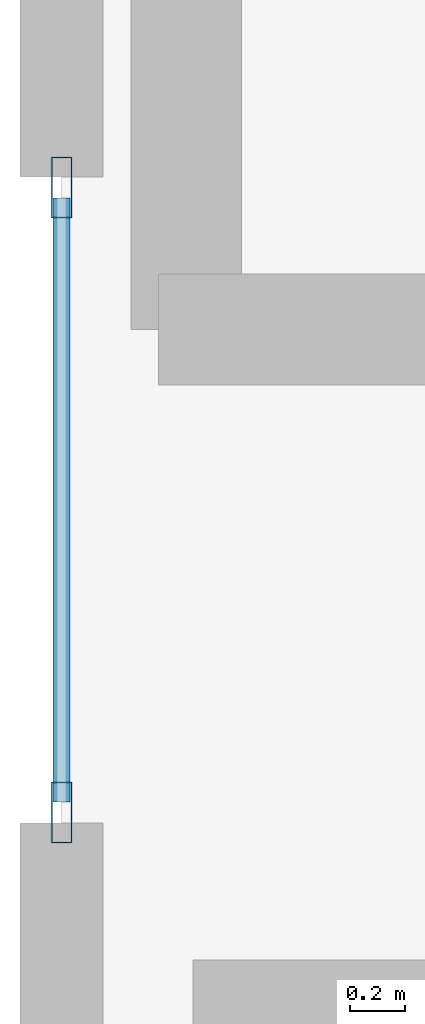
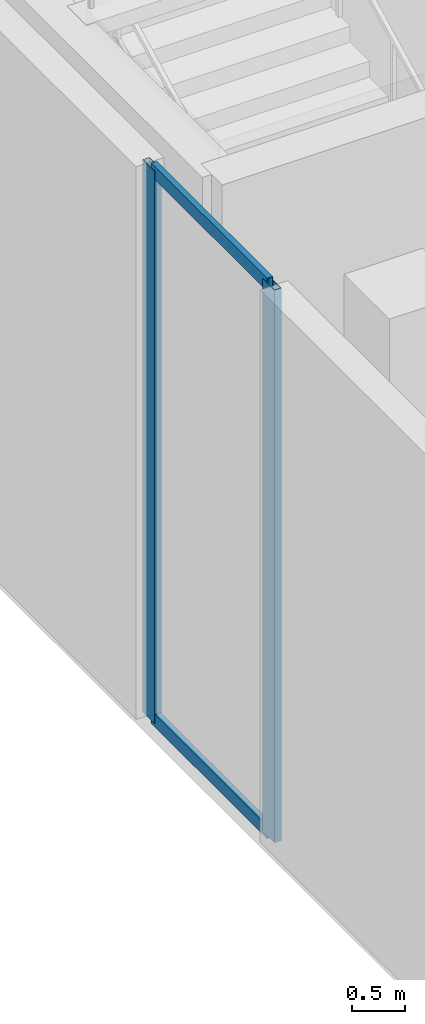
# One storey, part 3 of 30: 4 members, 1 element without a shape of its own.
"""IFC4 building model written with IfcOpenShell, lengths in metres."""

import ifcopenshell
import ifcopenshell.guid

model = None  # the IFC model being written
_history = None  # IfcOwnerHistory: only IFC2X3 demands one
_inside = {}  # id of a spatial element -> (the spatial element, [elements in it])
_under = {}  # id of a project, library or spatial element -> (it, [spatial elements below it])
_declared = {}  # id of a project -> (the project, [libraries it declares])
_typed = {}  # id of a type object -> (the type object, [elements of that type])
_made_of = {}  # id of a material, layer set ... -> (it, [elements and type objects made of it])


def new_model(schema):
    """Start an empty IFC model of exactly this schema.

    Asked for "IFC4X3", IfcOpenShell would pick the latest addendum, in which some entities
    have other attributes; the version numbers below select the first issue.
    IFC2X3 requires an IfcOwnerHistory on every rooted entity: one is made here for all.
    """
    global model, _history
    if schema == "IFC4X3":
        model = ifcopenshell.file(schema_version=(4, 3, 0, 0))
    else:
        model = ifcopenshell.file(schema=schema)
    _inside.clear()
    _under.clear()
    _declared.clear()
    _typed.clear()
    _made_of.clear()
    _history = None
    if model.schema == "IFC2X3":
        org = make("IfcOrganization", Name="unknown")
        user = make(
            "IfcPersonAndOrganization",
            ThePerson=make("IfcPerson", FamilyName="unknown"),
            TheOrganization=org,
        )
        app = make(
            "IfcApplication",
            ApplicationDeveloper=org,
            Version="unknown",
            ApplicationFullName="unknown",
            ApplicationIdentifier="unknown",
        )
        _history = make(
            "IfcOwnerHistory",
            OwningUser=user,
            OwningApplication=app,
            ChangeAction="ADDED",
            CreationDate=0,
        )
    return model


def make(cls, **values):
    """One entity of the class cls with the attributes given. An attribute that is None is left unset."""
    return model.create_entity(
        cls, **{name: value for name, value in values.items() if value is not None}
    )


def rooted(cls, **values):
    """An entity with a GlobalId (a new one), such as an element, a storey or a relation."""
    return make(cls, GlobalId=ifcopenshell.guid.new(), OwnerHistory=_history, **values)


def si_unit(unit_type, name, prefix=None):
    """IfcSIUnit, for example si_unit("LENGTHUNIT", "METRE", prefix="MILLI")."""
    return make("IfcSIUnit", UnitType=unit_type, Prefix=prefix, Name=name)


def assignment(units):
    """IfcUnitAssignment: the units of a project."""
    return None if units is None else make("IfcUnitAssignment", Units=units)


def point(xyz):
    """IfcCartesianPoint."""
    return None if xyz is None else make("IfcCartesianPoint", Coordinates=xyz)


def direction(xyz):
    """IfcDirection."""
    return None if xyz is None else make("IfcDirection", DirectionRatios=xyz)


def frame(location, z_axis=None, x_axis=None):
    """IfcAxis2Placement3D, a coordinate frame: its origin and axes. An axis left out is left unset."""
    return make(
        "IfcAxis2Placement3D",
        Location=point(location),
        Axis=direction(z_axis),
        RefDirection=direction(x_axis),
    )


def frame_2d(location, x_axis=None):
    """IfcAxis2Placement2D, a coordinate frame in the plane: its origin and x axis."""
    return make(
        "IfcAxis2Placement2D", Location=point(location), RefDirection=direction(x_axis)
    )


def origin():
    """The frame at (0, 0, 0) with its axes left unset."""
    return frame((0.0, 0.0, 0.0))


def origin_2d():
    """The frame at (0, 0) in the plane with its x axis left unset."""
    return frame_2d((0.0, 0.0))


def place(relative_to, where):
    """IfcLocalPlacement: puts the frame where relative to a parent placement (None: the world)."""
    return make(
        "IfcLocalPlacement", PlacementRelTo=relative_to, RelativePlacement=where
    )


def context(
    kind, dimensions, precision=None, world=None, true_north=None, identifier=None
):
    """IfcGeometricRepresentationContext, for example the 3D "Model" context."""
    return make(
        "IfcGeometricRepresentationContext",
        ContextIdentifier=identifier,
        ContextType=kind,
        CoordinateSpaceDimension=dimensions,
        Precision=precision,
        WorldCoordinateSystem=world,
        TrueNorth=true_north,
    )


def subcontext(parent, identifier, kind, view, scale=None):
    """IfcGeometricRepresentationSubContext, for example "Body" below "Model"."""
    return make(
        "IfcGeometricRepresentationSubContext",
        ContextIdentifier=identifier,
        ContextType=kind,
        ParentContext=parent,
        TargetScale=scale,
        TargetView=view,
    )


def project(units=None, contexts=None):
    """IfcProject with its units and contexts."""
    return rooted(
        "IfcProject",
        Name="project",
        RepresentationContexts=contexts,
        UnitsInContext=assignment(units),
    )


def spatial(cls, under=None, at=None, **own):
    """A site, building, storey or space (cls), placed at a placement, below another one or the project."""
    s = rooted(cls, ObjectPlacement=at, **own)
    if under is not None:
        _under.setdefault(under.id(), (under, []))[1].append(s)
    return s


def profile(cls, at=None, kind="AREA", **sizes):
    """A parametric profile (cls). Its sizes go by their IFC names, for example OverallWidth=200.0."""
    return make(cls, ProfileType=kind, Position=at, **sizes)


def hollow_rectangle(**sizes):
    """IfcRectangleHollowProfileDef."""
    return profile("IfcRectangleHollowProfileDef", **sizes)


def extrude(swept, where, along, depth):
    """IfcExtrudedAreaSolid: the profile swept, set in the frame where, extruded along a direction by depth."""
    return make(
        "IfcExtrudedAreaSolid",
        SweptArea=swept,
        Position=where,
        ExtrudedDirection=direction(along),
        Depth=depth,
    )


def shape(context_of_items, identifier, shape_type, items):
    """IfcShapeRepresentation: the items that make up one representation, for example the "Body"."""
    return make(
        "IfcShapeRepresentation",
        ContextOfItems=context_of_items,
        RepresentationIdentifier=identifier,
        RepresentationType=shape_type,
        Items=items,
    )


def material(Name=None, Category=None):
    """IfcMaterial."""
    return make("IfcMaterial", Name=Name, Category=Category)


def layer(
    of_material, thickness, ventilated=None, Name=None, Category=None, Priority=None
):
    """IfcMaterialLayer: one layer of a wall or slab, of a material (None: an air gap)."""
    return make(
        "IfcMaterialLayer",
        Material=of_material,
        LayerThickness=thickness,
        IsVentilated=ventilated,
        Name=Name,
        Category=Category,
        Priority=Priority,
    )


def layer_set(layers, Name=None):
    """IfcMaterialLayerSet."""
    return make("IfcMaterialLayerSet", MaterialLayers=layers, LayerSetName=Name)


def material_profile(
    of_material, cross_section, Name=None, Category=None, Priority=None
):
    """IfcMaterialProfile: a cross section and its material."""
    return make(
        "IfcMaterialProfile",
        Name=Name,
        Material=of_material,
        Profile=cross_section,
        Priority=Priority,
        Category=Category,
    )


def profile_set(profiles, Name=None, composite=None):
    """IfcMaterialProfileSet."""
    return make(
        "IfcMaterialProfileSet",
        Name=Name,
        MaterialProfiles=profiles,
        CompositeProfile=composite,
    )


def made_of(thing, what):
    """Note that an element or type object is made of a material, layer set ...; save() writes the relation."""
    if what is not None:
        _made_of.setdefault(what.id(), (what, []))[1].append(thing)
    return thing


def type_object(cls, material=None, **own):
    """A type object (cls), such as IfcWallType, which elements share."""
    return made_of(rooted(cls, **own), material)


def element(
    cls,
    number,
    at=None,
    inside=None,
    cuts=None,
    type_object=None,
    material=None,
    context=None,
    identifier="Body",
    shape_type=None,
    held_by="IfcProductDefinitionShape",
    body=None,
    shapes=None,
    **own,
):
    """One element of the class cls, such as IfcWall. Its Tag is "e" and its number.

    at: its placement. inside: the storey or other place that contains it. cuts: it is an
    opening in that element (IfcRelVoidsElement). A single representation is given by context,
    identifier, shape_type and body (its items); several are given by shapes. held_by: the class
    of the entity that holds the representations. save() writes the other relations.
    """
    e = rooted(cls, Tag="e%d" % number, ObjectPlacement=at, **own)
    if body is not None:
        shapes = [shape(context, identifier, shape_type, body)]
    if shapes is not None:
        e.Representation = make(held_by, Representations=shapes)
    if inside is not None:
        _inside.setdefault(inside.id(), (inside, []))[1].append(e)
    if cuts is not None:
        rooted(
            "IfcRelVoidsElement", RelatingBuildingElement=cuts, RelatedOpeningElement=e
        )
    if type_object is not None:
        _typed.setdefault(type_object.id(), (type_object, []))[1].append(e)
    return made_of(e, material)


def aggregate(whole, parts):
    """IfcRelAggregates: a whole, such as a stair, and the parts it consists of."""
    return rooted("IfcRelAggregates", RelatingObject=whole, RelatedObjects=parts)


def save(model, path):
    """Write the relations noted so far, then the file.

    IfcRelAggregates (storeys below a building ...), IfcRelContainedInSpatialStructure (elements
    in a storey), IfcRelDefinesByType, IfcRelAssociatesMaterial and IfcRelDeclares: one each for
    every whole, place, type object, material and project.
    """
    for whole, parts in _under.values():
        aggregate(whole, parts)
    for where, things in _inside.values():
        rooted(
            "IfcRelContainedInSpatialStructure",
            RelatedElements=things,
            RelatingStructure=where,
        )
    for kind, things in _typed.values():
        rooted("IfcRelDefinesByType", RelatedObjects=things, RelatingType=kind)
    for what, things in _made_of.values():
        rooted("IfcRelAssociatesMaterial", RelatedObjects=things, RelatingMaterial=what)
    for by, libraries in _declared.values():
        rooted("IfcRelDeclares", RelatingContext=by, RelatedDefinitions=libraries)
    model.write(path)


model = new_model("IFC4")

# Units and contexts
model_context = context("Model", 3, precision=1e-05, world=origin(), true_north=direction((0.0, 1.0)))
body_context = subcontext(model_context, "Body", "Model", "MODEL_VIEW")
ifc_project = project(units=[si_unit("LENGTHUNIT", "METRE"), si_unit("AREAUNIT", "SQUARE_METRE"), si_unit("VOLUMEUNIT", "CUBIC_METRE"), si_unit("PLANEANGLEUNIT", "RADIAN"), si_unit("MASSUNIT", "GRAM", prefix="KILO")], contexts=[model_context])

# Site, building, storey
site_placement = place(None, origin())
site = spatial("IfcSite", under=ifc_project, at=site_placement, CompositionType="ELEMENT")
building_placement = place(site_placement, origin())
building = spatial("IfcBuilding", under=site, at=building_placement, Name="Zuhayl Quay Hotel", CompositionType="ELEMENT")
storey_placement = place(building_placement, frame((0.0, 0.0, 11.39990234375)))
storey = spatial("IfcBuildingStorey", under=building, at=storey_placement, Name="L02", CompositionType="ELEMENT", Elevation=11.39990234375)

# Curtain wall, members
ifc_material_1 = material(Name="Anodised Aluminium 6063-T6", Category="aluminium")
ifc_layer = layer(ifc_material_1, 0.199951171875, Name="Anodised Aluminium 6063-T6", Category="aluminium")
ifc_layer_set = layer_set([ifc_layer], Name="Anodised Aluminium 6063-T6")
curtain_wall_type = type_object("IfcCurtainWallType", Name="CW_SYS_POD", PredefinedType="USERDEFINED", material=ifc_layer_set)
curtain_wall_placement = place(storey_placement, origin())
curtain_wall = element("IfcCurtainWall", 1, at=curtain_wall_placement, inside=storey, type_object=curtain_wall_type, Name="L02 Curtain Wall ENV_L02_E02_CW1", ObjectType="UNITISED CURTAIN WALL", PredefinedType="USERDEFINED")
ifc_material_2 = material(Name="Black-anodised aluminium 6063-T6", Category="aluminium")
ifc_material_profile_1 = material_profile(ifc_material_2, hollow_rectangle(XDim=0.074951171875, YDim=0.219970703125, WallThickness=0.00390625, at=origin_2d()), Name="ALU220X75")
ifc_profile_set_1 = profile_set([ifc_material_profile_1], Name="Black-anodised aluminium 6063-T6")
member_type_1 = type_object("IfcMemberType", Name="MB_CW_MUL_220", PredefinedType="MULLION", material=ifc_profile_set_1)
member_1_placement = place(storey_placement, frame((-36.0, -15.54248046875, 0.0), z_axis=(0.0, 0.0, 1.0), x_axis=(-1.0, 0.0, 0.0)))
member_1 = element("IfcMember", 2, at=member_1_placement, type_object=member_type_1, Name="CW-POD mullion 1", PredefinedType="MULLION", context=body_context, shape_type="SweptSolid", body=[
    extrude(hollow_rectangle(XDim=0.074951171875, YDim=0.219970703125, WallThickness=0.00390625, at=origin_2d()), origin(), (0.0, 0.0, 1.0), 6.340087890625),
])
member_2_placement = place(storey_placement, frame((-36.0, -13.28759765625, 0.0), z_axis=(0.0, 0.0, 1.0), x_axis=(-1.0, 0.0, 0.0)))
member_2 = element("IfcMember", 3, at=member_2_placement, type_object=member_type_1, Name="CW-POD mullion 2", PredefinedType="MULLION", context=body_context, shape_type="SweptSolid", body=[
    extrude(hollow_rectangle(XDim=0.074951171875, YDim=0.219970703125, WallThickness=0.00390625, at=origin_2d()), origin(), (0.0, 0.0, 1.0), 6.340087890625),
])
ifc_material_profile_2 = material_profile(ifc_material_2, hollow_rectangle(XDim=0.06005859375, YDim=0.14990234375, WallThickness=0.00341796875, at=origin_2d()), Name="ALU150X60")
ifc_profile_set_2 = profile_set([ifc_material_profile_2], Name="Black-anodised aluminium 6063-T6")
member_type_2 = type_object("IfcMemberType", Name="MB_CW_TRN_150", PredefinedType="USERDEFINED", material=ifc_profile_set_2)
member_3_placement = place(storey_placement, frame((-36.0, -15.5048828125, 0.030029296875), z_axis=(0.0, 1.0, 0.0), x_axis=(-1.0, 0.0, 0.0)))
member_3 = element("IfcMember", 4, at=member_3_placement, type_object=member_type_2, Name="CW-POD transom 1.1", ObjectType="TRANSOM", PredefinedType="USERDEFINED", context=body_context, shape_type="SweptSolid", body=[
    extrude(hollow_rectangle(XDim=0.06005859375, YDim=0.14990234375, WallThickness=0.00341796875, at=origin_2d()), origin(), (0.0, 0.0, 1.0), 2.179931640625),
])
member_4_placement = place(storey_placement, frame((-36.0, -15.5048828125, 6.31005859375), z_axis=(0.0, 1.0, 0.0), x_axis=(-1.0, 0.0, 0.0)))
member_4 = element("IfcMember", 5, at=member_4_placement, type_object=member_type_2, Name="CW-POD transom 1.2", ObjectType="TRANSOM", PredefinedType="USERDEFINED", context=body_context, shape_type="SweptSolid", body=[
    extrude(hollow_rectangle(XDim=0.06005859375, YDim=0.14990234375, WallThickness=0.00341796875, at=origin_2d()), origin(), (0.0, 0.0, 1.0), 2.179931640625),
])
aggregate(curtain_wall, [member_1, member_2, member_3, member_4])

save(model, "model.ifc")
